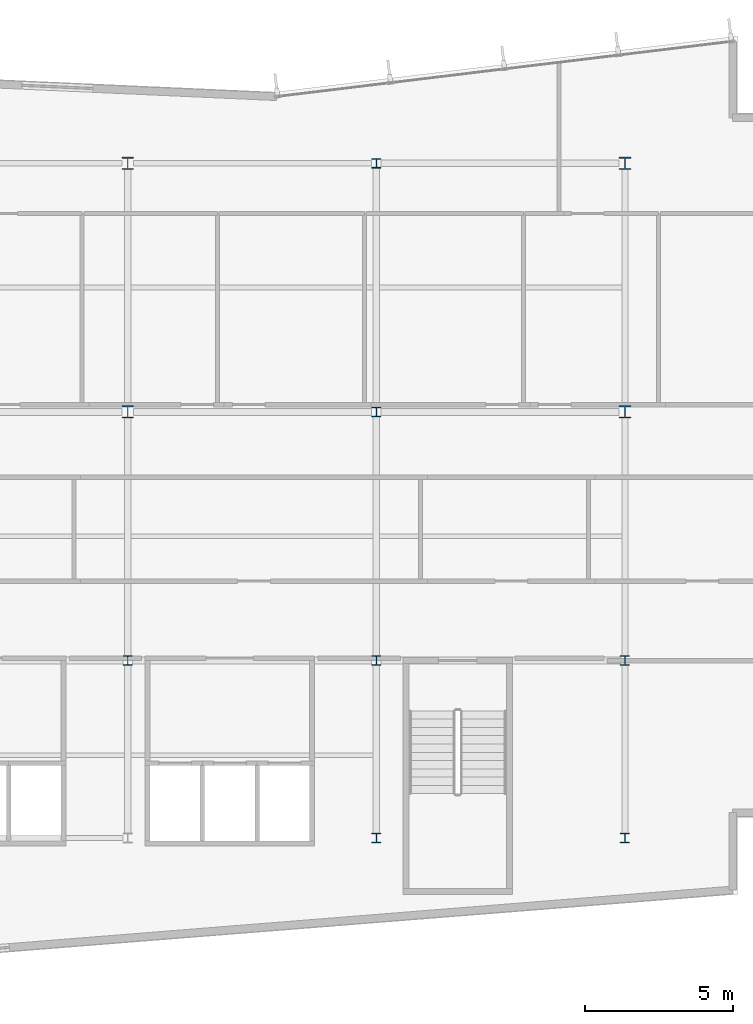
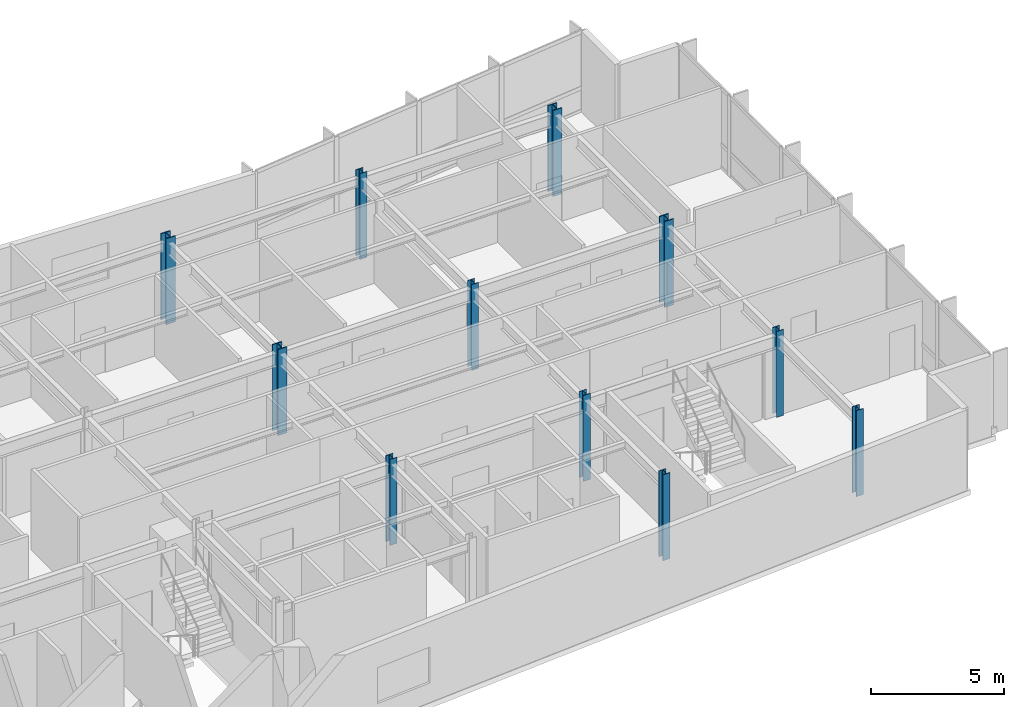
# One storey, part 2 of 18: 11 columns.
"""IFC4 building model written with IfcOpenShell, lengths in metres."""

import ifcopenshell
import ifcopenshell.guid

model = None  # the IFC model being written
_history = None  # IfcOwnerHistory: only IFC2X3 demands one
_inside = {}  # id of a spatial element -> (the spatial element, [elements in it])
_under = {}  # id of a project, library or spatial element -> (it, [spatial elements below it])
_declared = {}  # id of a project -> (the project, [libraries it declares])
_typed = {}  # id of a type object -> (the type object, [elements of that type])
_made_of = {}  # id of a material, layer set ... -> (it, [elements and type objects made of it])


def new_model(schema):
    """Start an empty IFC model of exactly this schema.

    Asked for "IFC4X3", IfcOpenShell would pick the latest addendum, in which some entities
    have other attributes; the version numbers below select the first issue.
    IFC2X3 requires an IfcOwnerHistory on every rooted entity: one is made here for all.
    """
    global model, _history
    if schema == "IFC4X3":
        model = ifcopenshell.file(schema_version=(4, 3, 0, 0))
    else:
        model = ifcopenshell.file(schema=schema)
    _inside.clear()
    _under.clear()
    _declared.clear()
    _typed.clear()
    _made_of.clear()
    _history = None
    if model.schema == "IFC2X3":
        org = make("IfcOrganization", Name="unknown")
        user = make(
            "IfcPersonAndOrganization",
            ThePerson=make("IfcPerson", FamilyName="unknown"),
            TheOrganization=org,
        )
        app = make(
            "IfcApplication",
            ApplicationDeveloper=org,
            Version="unknown",
            ApplicationFullName="unknown",
            ApplicationIdentifier="unknown",
        )
        _history = make(
            "IfcOwnerHistory",
            OwningUser=user,
            OwningApplication=app,
            ChangeAction="ADDED",
            CreationDate=0,
        )
    return model


def make(cls, **values):
    """One entity of the class cls with the attributes given. An attribute that is None is left unset."""
    return model.create_entity(
        cls, **{name: value for name, value in values.items() if value is not None}
    )


def rooted(cls, **values):
    """An entity with a GlobalId (a new one), such as an element, a storey or a relation."""
    return make(cls, GlobalId=ifcopenshell.guid.new(), OwnerHistory=_history, **values)


def si_unit(unit_type, name, prefix=None):
    """IfcSIUnit, for example si_unit("LENGTHUNIT", "METRE", prefix="MILLI")."""
    return make("IfcSIUnit", UnitType=unit_type, Prefix=prefix, Name=name)


def assignment(units):
    """IfcUnitAssignment: the units of a project."""
    return None if units is None else make("IfcUnitAssignment", Units=units)


def point(xyz):
    """IfcCartesianPoint."""
    return None if xyz is None else make("IfcCartesianPoint", Coordinates=xyz)


def direction(xyz):
    """IfcDirection."""
    return None if xyz is None else make("IfcDirection", DirectionRatios=xyz)


def frame(location, z_axis=None, x_axis=None):
    """IfcAxis2Placement3D, a coordinate frame: its origin and axes. An axis left out is left unset."""
    return make(
        "IfcAxis2Placement3D",
        Location=point(location),
        Axis=direction(z_axis),
        RefDirection=direction(x_axis),
    )


def frame_2d(location, x_axis=None):
    """IfcAxis2Placement2D, a coordinate frame in the plane: its origin and x axis."""
    return make(
        "IfcAxis2Placement2D", Location=point(location), RefDirection=direction(x_axis)
    )


def origin():
    """The frame at (0, 0, 0) with its axes left unset."""
    return frame((0.0, 0.0, 0.0))


def origin_2d():
    """The frame at (0, 0) in the plane with its x axis left unset."""
    return frame_2d((0.0, 0.0))


def place(relative_to, where):
    """IfcLocalPlacement: puts the frame where relative to a parent placement (None: the world)."""
    return make(
        "IfcLocalPlacement", PlacementRelTo=relative_to, RelativePlacement=where
    )


def context(
    kind, dimensions, precision=None, world=None, true_north=None, identifier=None
):
    """IfcGeometricRepresentationContext, for example the 3D "Model" context."""
    return make(
        "IfcGeometricRepresentationContext",
        ContextIdentifier=identifier,
        ContextType=kind,
        CoordinateSpaceDimension=dimensions,
        Precision=precision,
        WorldCoordinateSystem=world,
        TrueNorth=true_north,
    )


def subcontext(parent, identifier, kind, view, scale=None):
    """IfcGeometricRepresentationSubContext, for example "Body" below "Model"."""
    return make(
        "IfcGeometricRepresentationSubContext",
        ContextIdentifier=identifier,
        ContextType=kind,
        ParentContext=parent,
        TargetScale=scale,
        TargetView=view,
    )


def project(units=None, contexts=None):
    """IfcProject with its units and contexts."""
    return rooted(
        "IfcProject",
        Name="project",
        RepresentationContexts=contexts,
        UnitsInContext=assignment(units),
    )


def spatial(cls, under=None, at=None, **own):
    """A site, building, storey or space (cls), placed at a placement, below another one or the project."""
    s = rooted(cls, ObjectPlacement=at, **own)
    if under is not None:
        _under.setdefault(under.id(), (under, []))[1].append(s)
    return s


def profile(cls, at=None, kind="AREA", **sizes):
    """A parametric profile (cls). Its sizes go by their IFC names, for example OverallWidth=200.0."""
    return make(cls, ProfileType=kind, Position=at, **sizes)


def i_section(**sizes):
    """IfcIShapeProfileDef."""
    return profile("IfcIShapeProfileDef", **sizes)


def extrude(swept, where, along, depth):
    """IfcExtrudedAreaSolid: the profile swept, set in the frame where, extruded along a direction by depth."""
    return make(
        "IfcExtrudedAreaSolid",
        SweptArea=swept,
        Position=where,
        ExtrudedDirection=direction(along),
        Depth=depth,
    )


def shape(context_of_items, identifier, shape_type, items):
    """IfcShapeRepresentation: the items that make up one representation, for example the "Body"."""
    return make(
        "IfcShapeRepresentation",
        ContextOfItems=context_of_items,
        RepresentationIdentifier=identifier,
        RepresentationType=shape_type,
        Items=items,
    )


def material(Name=None, Category=None):
    """IfcMaterial."""
    return make("IfcMaterial", Name=Name, Category=Category)


def material_profile(
    of_material, cross_section, Name=None, Category=None, Priority=None
):
    """IfcMaterialProfile: a cross section and its material."""
    return make(
        "IfcMaterialProfile",
        Name=Name,
        Material=of_material,
        Profile=cross_section,
        Priority=Priority,
        Category=Category,
    )


def profile_set(profiles, Name=None, composite=None):
    """IfcMaterialProfileSet."""
    return make(
        "IfcMaterialProfileSet",
        Name=Name,
        MaterialProfiles=profiles,
        CompositeProfile=composite,
    )


def made_of(thing, what):
    """Note that an element or type object is made of a material, layer set ...; save() writes the relation."""
    if what is not None:
        _made_of.setdefault(what.id(), (what, []))[1].append(thing)
    return thing


def type_object(cls, material=None, **own):
    """A type object (cls), such as IfcWallType, which elements share."""
    return made_of(rooted(cls, **own), material)


def element(
    cls,
    number,
    at=None,
    inside=None,
    cuts=None,
    type_object=None,
    material=None,
    context=None,
    identifier="Body",
    shape_type=None,
    held_by="IfcProductDefinitionShape",
    body=None,
    shapes=None,
    **own,
):
    """One element of the class cls, such as IfcWall. Its Tag is "e" and its number.

    at: its placement. inside: the storey or other place that contains it. cuts: it is an
    opening in that element (IfcRelVoidsElement). A single representation is given by context,
    identifier, shape_type and body (its items); several are given by shapes. held_by: the class
    of the entity that holds the representations. save() writes the other relations.
    """
    e = rooted(cls, Tag="e%d" % number, ObjectPlacement=at, **own)
    if body is not None:
        shapes = [shape(context, identifier, shape_type, body)]
    if shapes is not None:
        e.Representation = make(held_by, Representations=shapes)
    if inside is not None:
        _inside.setdefault(inside.id(), (inside, []))[1].append(e)
    if cuts is not None:
        rooted(
            "IfcRelVoidsElement", RelatingBuildingElement=cuts, RelatedOpeningElement=e
        )
    if type_object is not None:
        _typed.setdefault(type_object.id(), (type_object, []))[1].append(e)
    return made_of(e, material)


def aggregate(whole, parts):
    """IfcRelAggregates: a whole, such as a stair, and the parts it consists of."""
    return rooted("IfcRelAggregates", RelatingObject=whole, RelatedObjects=parts)


def save(model, path):
    """Write the relations noted so far, then the file.

    IfcRelAggregates (storeys below a building ...), IfcRelContainedInSpatialStructure (elements
    in a storey), IfcRelDefinesByType, IfcRelAssociatesMaterial and IfcRelDeclares: one each for
    every whole, place, type object, material and project.
    """
    for whole, parts in _under.values():
        aggregate(whole, parts)
    for where, things in _inside.values():
        rooted(
            "IfcRelContainedInSpatialStructure",
            RelatedElements=things,
            RelatingStructure=where,
        )
    for kind, things in _typed.values():
        rooted("IfcRelDefinesByType", RelatedObjects=things, RelatingType=kind)
    for what, things in _made_of.values():
        rooted("IfcRelAssociatesMaterial", RelatedObjects=things, RelatingMaterial=what)
    for by, libraries in _declared.values():
        rooted("IfcRelDeclares", RelatingContext=by, RelatedDefinitions=libraries)
    model.write(path)


model = new_model("IFC4")

# Units and contexts
model_context = context("Model", 3, precision=1e-05, world=origin(), true_north=direction((0.0, 1.0)))
body_context = subcontext(model_context, "Body", "Model", "MODEL_VIEW")
ifc_project = project(units=[si_unit("LENGTHUNIT", "METRE"), si_unit("AREAUNIT", "SQUARE_METRE"), si_unit("VOLUMEUNIT", "CUBIC_METRE"), si_unit("PLANEANGLEUNIT", "RADIAN"), si_unit("MASSUNIT", "GRAM", prefix="KILO")], contexts=[model_context])

# Site, building, storey
site_placement = place(None, origin())
site = spatial("IfcSite", under=ifc_project, at=site_placement, CompositionType="ELEMENT")
building_placement = place(site_placement, origin())
building = spatial("IfcBuilding", under=site, at=building_placement, Name="Varnakote Quay Hospital", CompositionType="ELEMENT")
storey_placement = place(building_placement, frame((0.0, 0.0, 107.300048828125)))
storey = spatial("IfcBuildingStorey", under=building, at=storey_placement, Name="L26", CompositionType="ELEMENT", Elevation=107.300048828125)

# Columns
ifc_material_1 = material(Name="Structural steel AS/NZS 3679.1 Grade 350 L0 (fy 340 MPa)", Category="steel")
ifc_material_profile_1 = material_profile(ifc_material_1, i_section(OverallWidth=0.30908203125, OverallDepth=0.321044921875, WebThickness=0.013916015625, FlangeThickness=0.021728515625, FilletRadius=0.0166015625, at=origin_2d()), Name="310UC137")
ifc_profile_set_1 = profile_set([ifc_material_profile_1], Name="Structural steel AS/NZS 3679.1 Grade 350 L0 (fy 340 MPa)")
column_type_1 = type_object("IfcColumnType", Name="COL-STL-310UC137", PredefinedType="COLUMN", material=ifc_profile_set_1)
for number, where, z_axis, x_axis, name in (
    (1, (42.0, 6.0, 0.0), (0.0, 0.0, 1.0), (1.0, 0.0, 0.0), "L26 Structural Column C-42-6"),
    (2, (50.39990234375, 6.0, 0.0), (0.0, 0.0, 1.0), (1.0, 0.0, 0.0), "L26 Structural Column C-50-6"),
    (3, (33.60009765625, 12.0, 0.0), (0.0, 0.0, 1.0), (1.0, 0.0, 0.0), "L26 Structural Column C-34-12"),
    (4, (42.0, 12.0, 0.0), (0.0, 0.0, 1.0), (1.0, 0.0, 0.0), "L26 Structural Column C-42-12"),
    (5, (50.39990234375, 12.0, 0.0), (0.0, 0.0, 1.0), (1.0, 0.0, 0.0), "L26 Structural Column C-50-12"),
    (6, (42.0, 20.39990234375, 0.0), (0.0, 0.0, 1.0), (1.0, 0.0, 0.0), "L26 Structural Column C-42-20"),
    (7, (42.0, 28.800048828125, 0.0), (0.0, 0.0, 1.0), (1.0, 0.0, 0.0), "L26 Structural Column C-42-29"),
):
    element("IfcColumn", number, at=place(storey_placement, frame(where, z_axis=z_axis, x_axis=x_axis)), inside=storey, type_object=column_type_1, Name=name, PredefinedType="COLUMN", context=body_context, shape_type="SweptSolid", body=[
        extrude(i_section(OverallWidth=0.30908203125, OverallDepth=0.321044921875, WebThickness=0.013916015625, FlangeThickness=0.021728515625, FilletRadius=0.0166015625, at=origin_2d()), origin(), (0.0, 0.0, 1.0), 3.949951171875),
    ])
ifc_material_2 = material(Name="Structural steel AS/NZS 3678 Grade 350 (fy 340 MPa)", Category="steel")
ifc_material_profile_2 = material_profile(ifc_material_2, i_section(OverallWidth=0.39990234375, OverallDepth=0.419921875, WebThickness=0.02490234375, FlangeThickness=0.0400390625, at=origin_2d()), Name="400WC328")
ifc_profile_set_2 = profile_set([ifc_material_profile_2], Name="Structural steel AS/NZS 3678 Grade 350 (fy 340 MPa)")
column_type_2 = type_object("IfcColumnType", Name="COL-STL-400WC328", PredefinedType="COLUMN", material=ifc_profile_set_2)
for number, where, z_axis, x_axis, name in (
    (8, (33.60009765625, 20.39990234375, 0.0), (0.0, 0.0, 1.0), (1.0, 0.0, 0.0), "L26 Structural Column C-34-20"),
    (9, (50.39990234375, 20.39990234375, 0.0), (0.0, 0.0, 1.0), (1.0, 0.0, 0.0), "L26 Structural Column C-50-20"),
    (10, (33.60009765625, 28.800048828125, 0.0), (0.0, 0.0, 1.0), (1.0, 0.0, 0.0), "L26 Structural Column C-34-29"),
    (11, (50.39990234375, 28.800048828125, 0.0), (0.0, 0.0, 1.0), (1.0, 0.0, 0.0), "L26 Structural Column C-50-29"),
):
    element("IfcColumn", number, at=place(storey_placement, frame(where, z_axis=z_axis, x_axis=x_axis)), inside=storey, type_object=column_type_2, Name=name, PredefinedType="COLUMN", context=body_context, shape_type="SweptSolid", body=[
        extrude(i_section(OverallWidth=0.39990234375, OverallDepth=0.419921875, WebThickness=0.02490234375, FlangeThickness=0.0400390625, at=origin_2d()), origin(), (0.0, 0.0, 1.0), 3.949951171875),
    ])

save(model, "model.ifc")
